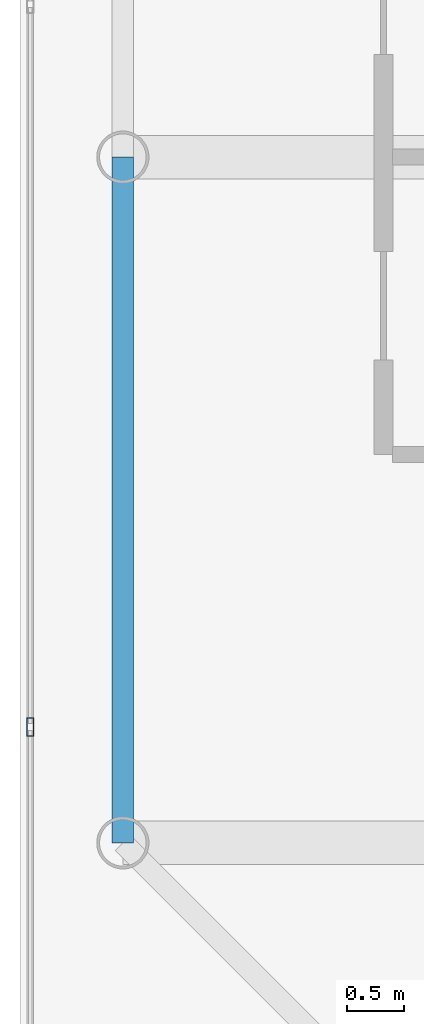
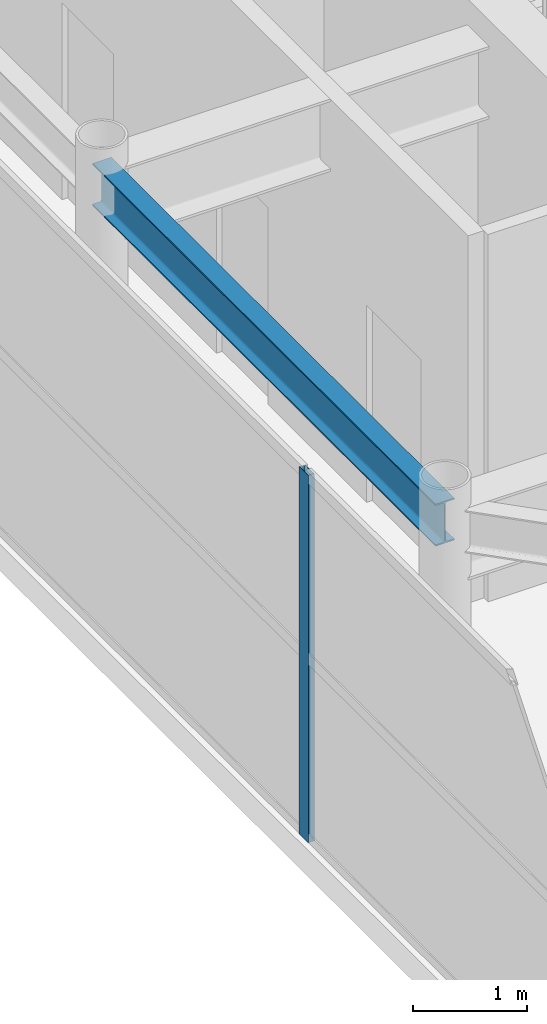
# One storey, part 5 of 33: 1 beam, 1 member, 1 element without a shape of its own.
"""IFC4 building model written with IfcOpenShell, lengths in metres."""

from ifc_helpers import new_model, si_unit, direction, frame, origin, origin_2d, place, context, subcontext, project, spatial, hollow_rectangle, i_section, extrude, source, transform, mapped, material, layer, layer_set, material_profile, profile_set, type_object, element, aggregate, save


model = new_model("IFC4")

# Units and contexts
model_context = context("Model", 3, precision=1e-05, world=origin(), true_north=direction((0.0, 1.0)))
body_context = subcontext(model_context, "Body", "Model", "MODEL_VIEW")
ifc_project = project(units=[si_unit("LENGTHUNIT", "METRE"), si_unit("AREAUNIT", "SQUARE_METRE"), si_unit("VOLUMEUNIT", "CUBIC_METRE"), si_unit("PLANEANGLEUNIT", "RADIAN"), si_unit("MASSUNIT", "GRAM", prefix="KILO")], contexts=[model_context])

# Site, building, storey
site_placement = place(None, origin())
site = spatial("IfcSite", under=ifc_project, at=site_placement, CompositionType="ELEMENT")
building_placement = place(site_placement, origin())
building = spatial("IfcBuilding", under=site, at=building_placement, Name="Khoralis Quay Care Tower", CompositionType="ELEMENT")
storey_placement = place(building_placement, frame((0.0, 0.0, 302.10009765625)))
storey = spatial("IfcBuildingStorey", under=building, at=storey_placement, Name="L79", CompositionType="ELEMENT", Elevation=302.10009765625)

# Beam
ifc_material_1 = material(Name="Steel S355", Category="steel")
ifc_material_profile_1 = material_profile(ifc_material_1, i_section(OverallWidth=0.18994140625, OverallDepth=0.449951171875, WebThickness=0.009521484375, FlangeThickness=0.0146484375, FilletRadius=0.02099609375, at=origin_2d()), Name="Steel S355")
ifc_profile_set_1 = profile_set([ifc_material_profile_1], Name="Steel S355")
beam_type = type_object("IfcBeamType", Name="BM-IPE450", PredefinedType="SPANDREL", material=ifc_profile_set_1)
shared_shape_1 = source(origin(), body_context, "Body", "SweptSolid", [
    extrude(i_section(OverallWidth=0.18994140625, OverallDepth=0.449951171875, WebThickness=0.009521484375, FlangeThickness=0.0146484375, FilletRadius=0.02099609375, at=origin_2d()), origin(), (0.0, 0.0, 1.0), 6.0),
])
beam_placement = place(storey_placement, frame((3.89990234375, 12.0, 3.69482421875), z_axis=(0.0, 1.0, 0.0), x_axis=(-1.0, 0.0, 0.0)))
element("IfcBeam", 1, at=beam_placement, inside=storey, type_object=beam_type, Name="BM-TSP-L79-09", PredefinedType="SPANDREL", context=body_context, shape_type="MappedRepresentation", body=[
    mapped(shared_shape_1, transform((0.0, 0.0, 0.0), scale=1.0)),
])

# Curtain wall, member
ifc_material_2 = material(Name="Pale anodised aluminium", Category="aluminium")
ifc_layer = layer(ifc_material_2, 0.199951171875)
ifc_layer_set = layer_set([ifc_layer], Name="Pale anodised aluminium")
curtain_wall_type = type_object("IfcCurtainWallType", Name="CW-SYS-LANTERN", PredefinedType="NOTDEFINED", material=ifc_layer_set)
curtain_wall_placement = place(storey_placement, origin())
curtain_wall = element("IfcCurtainWall", 2, at=curtain_wall_placement, inside=storey, type_object=curtain_wall_type, Name="L79 Unitised Curtain Wall CW-LN-L79-16", PredefinedType="NOTDEFINED")
ifc_material_profile_2 = material_profile(ifc_material_2, hollow_rectangle(XDim=0.06005859375, YDim=0.159912109375, WallThickness=0.00390625, at=origin_2d()), Name="Pale anodised aluminium")
ifc_profile_set_2 = profile_set([ifc_material_profile_2], Name="Pale anodised aluminium")
member_type = type_object("IfcMemberType", Name="CW-MUL-160", PredefinedType="MULLION", material=ifc_profile_set_2)
shared_shape_2 = source(origin(), body_context, "Body", "SweptSolid", [
    extrude(hollow_rectangle(XDim=0.06005859375, YDim=0.159912109375, WallThickness=0.00390625, at=origin_2d()), origin(), (0.0, 0.0, 1.0), 3.919921875),
])
member_placement = place(storey_placement, frame((3.090087890625, 13.013916015625, 0.0), z_axis=(0.0, 0.0, 1.0), x_axis=(1.0, 0.0, 0.0)))
member = element("IfcMember", 3, at=member_placement, type_object=member_type, Name="CW5 mullion 5", PredefinedType="MULLION", context=body_context, shape_type="MappedRepresentation", body=[
    mapped(shared_shape_2, transform((0.0, 0.0, 0.0), scale=1.0)),
])
aggregate(curtain_wall, [member])

save(model, "model.ifc")
